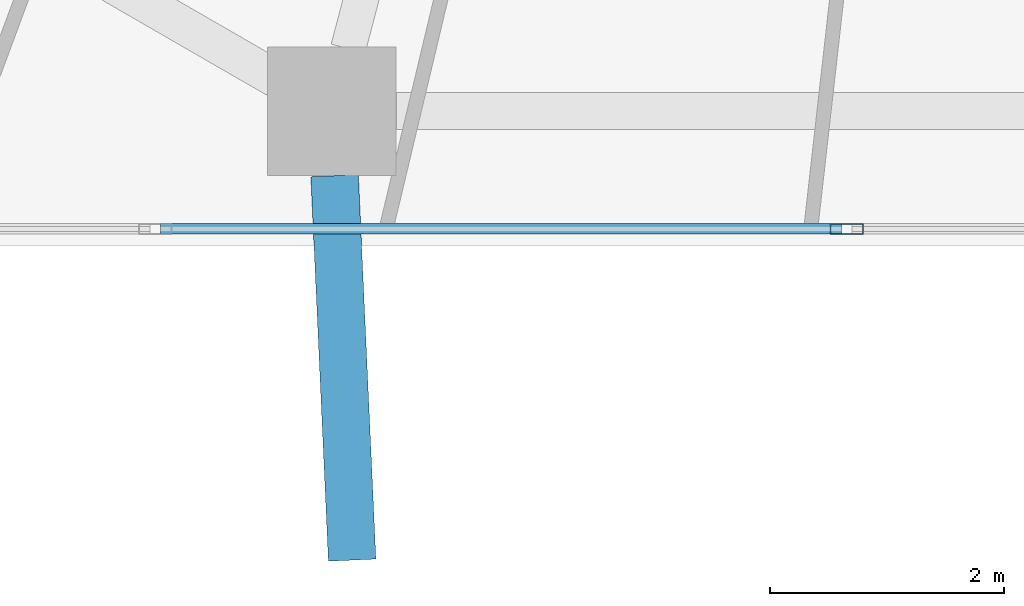
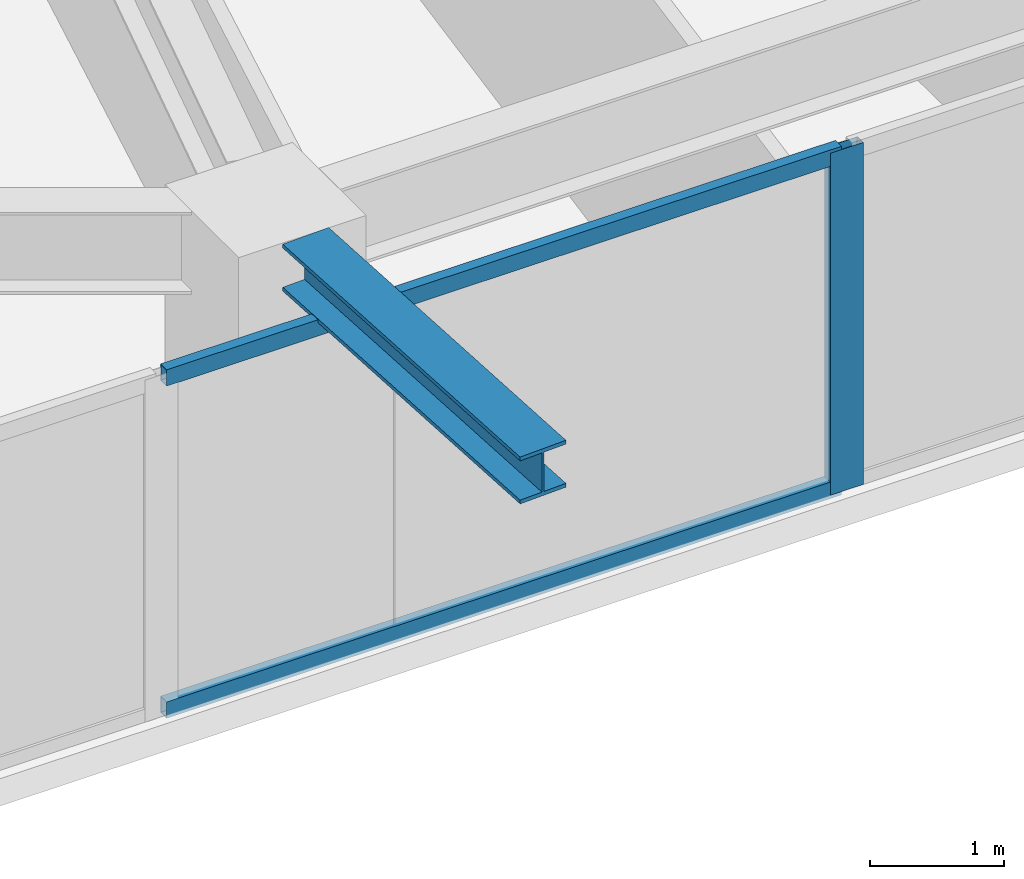
# One storey, part 3 of 33: 3 members, 1 beam, 1 element without a shape of its own.
"""IFC4 building model written with IfcOpenShell, lengths in metres."""

from ifc_helpers import new_model, si_unit, direction, frame, origin, origin_2d, place, context, subcontext, project, spatial, hollow_rectangle, i_section, extrude, material, material_profile, profile_set, type_object, element, aggregate, save


model = new_model("IFC4")

# Units and contexts
model_context = context("Model", 3, precision=1e-05, world=origin(), true_north=direction((0.0, 1.0)))
body_context = subcontext(model_context, "Body", "Model", "MODEL_VIEW")
ifc_project = project(units=[si_unit("LENGTHUNIT", "METRE"), si_unit("AREAUNIT", "SQUARE_METRE"), si_unit("VOLUMEUNIT", "CUBIC_METRE"), si_unit("PLANEANGLEUNIT", "RADIAN"), si_unit("MASSUNIT", "GRAM", prefix="KILO")], contexts=[model_context])

# Site, building, storey
site_placement = place(None, origin())
site = spatial("IfcSite", under=ifc_project, at=site_placement, CompositionType="ELEMENT")
building_placement = place(site_placement, origin())
building = spatial("IfcBuilding", under=site, at=building_placement, Name="Zuhravey Tower", CompositionType="ELEMENT")
storey_placement = place(building_placement, frame((0.0, 0.0, 96.199951171875)))
storey = spatial("IfcBuildingStorey", under=building, at=storey_placement, Name="L23", CompositionType="ELEMENT", Elevation=96.199951171875)

# Curtain wall, members
ifc_material_1 = material(Name="Thermally broken anodised aluminium", Category="aluminium")
curtain_wall_type = type_object("IfcCurtainWallType", Name="Zone 1-2 Residential Curtain Wall CW3", PredefinedType="NOTDEFINED", material=ifc_material_1)
curtain_wall_placement = place(storey_placement, origin())
curtain_wall = element("IfcCurtainWall", 1, at=curtain_wall_placement, inside=storey, type_object=curtain_wall_type, Name="L23 CW3 CW-L23-F5-1", PredefinedType="NOTDEFINED")
ifc_material_2 = material(Name="Anodised aluminium", Category="aluminium")
ifc_material_profile_1 = material_profile(ifc_material_2, hollow_rectangle(XDim=0.090087890625, YDim=0.284912109375, WallThickness=0.0048828125, at=origin_2d()), Name="ALU-RHS-90x285x5")
ifc_profile_set_1 = profile_set([ifc_material_profile_1], Name="Anodised aluminium")
member_type_1 = type_object("IfcMemberType", Name="Curtain-Wall Mullion 90x180", PredefinedType="MULLION", material=ifc_profile_set_1)
member_1_placement = place(storey_placement, frame((33.0400390625, 3.04150390625, 0.0), z_axis=(0.0, 0.0, 1.0), x_axis=(0.0, -1.0, 0.0)))
member_1 = element("IfcMember", 2, at=member_1_placement, type_object=member_type_1, Name="CW3 mullion 4", PredefinedType="MULLION", context=body_context, shape_type="SweptSolid", body=[
    extrude(hollow_rectangle(XDim=0.090087890625, YDim=0.284912109375, WallThickness=0.0048828125, at=origin_2d()), origin(), (0.0, 0.0, 1.0), 3.1220703125),
])
ifc_material_profile_2 = material_profile(ifc_material_2, hollow_rectangle(XDim=0.090087890625, YDim=0.14990234375, WallThickness=0.0048828125, at=origin_2d()), Name="ALU-RHS-90x150x5")
ifc_profile_set_2 = profile_set([ifc_material_profile_2], Name="Anodised aluminium")
member_type_2 = type_object("IfcMemberType", Name="Curtain-Wall Transom 90x150", PredefinedType="USERDEFINED", material=ifc_profile_set_2)
member_2_placement = place(storey_placement, frame((32.9951171875, 3.04150390625, 0.045166015625), z_axis=(-1.0, 0.0, 0.0), x_axis=(0.0, -1.0, 0.0)))
member_2 = element("IfcMember", 3, at=member_2_placement, type_object=member_type_2, Name="CW3 transom 4.1", ObjectType="TRANSOM", PredefinedType="USERDEFINED", context=body_context, shape_type="SweptSolid", body=[
    extrude(hollow_rectangle(XDim=0.090087890625, YDim=0.14990234375, WallThickness=0.0048828125, at=origin_2d()), origin(), (0.0, 0.0, 1.0), 5.829833984375),
])
member_3_placement = place(storey_placement, frame((32.9951171875, 3.04150390625, 3.0771484375), z_axis=(-1.0, 0.0, 0.0), x_axis=(0.0, -1.0, 0.0)))
member_3 = element("IfcMember", 4, at=member_3_placement, type_object=member_type_2, Name="CW3 transom 4.2", ObjectType="TRANSOM", PredefinedType="USERDEFINED", context=body_context, shape_type="SweptSolid", body=[
    extrude(hollow_rectangle(XDim=0.090087890625, YDim=0.14990234375, WallThickness=0.0048828125, at=origin_2d()), origin(), (0.0, 0.0, 1.0), 5.829833984375),
])
aggregate(curtain_wall, [member_1, member_2, member_3])

# Beam
ifc_material_3 = material(Name="Steel SM460", Category="steel")
ifc_material_profile_3 = material_profile(ifc_material_3, i_section(OverallWidth=0.406982421875, OverallDepth=0.427978515625, WebThickness=0.02001953125, FlangeThickness=0.034912109375, at=origin_2d()), Name="H-428x407x20x35")
ifc_profile_set_3 = profile_set([ifc_material_profile_3], Name="Steel SM460")
beam_type = type_object("IfcBeamType", Name="Exoskeleton Node Tie Beam H428x407", PredefinedType="BEAM", material=ifc_profile_set_3)
beam_placement = place(storey_placement, frame((28.6552734375, 3.49755859375, 3.3359375), z_axis=(0.04557573776, -0.998960886185, 0.0), x_axis=(0.998960886185, 0.04557573776, 0.0)))
element("IfcBeam", 5, at=beam_placement, inside=storey, type_object=beam_type, Name="L23 Exoskeleton Node Tie NT1-09", PredefinedType="BEAM", context=body_context, shape_type="SweptSolid", body=[
    extrude(i_section(OverallWidth=0.406982421875, OverallDepth=0.427978515625, WebThickness=0.02001953125, FlangeThickness=0.034912109375, at=origin_2d()), origin(), (0.0, 0.0, 1.0), 3.29443359375),
])

save(model, "model.ifc")
